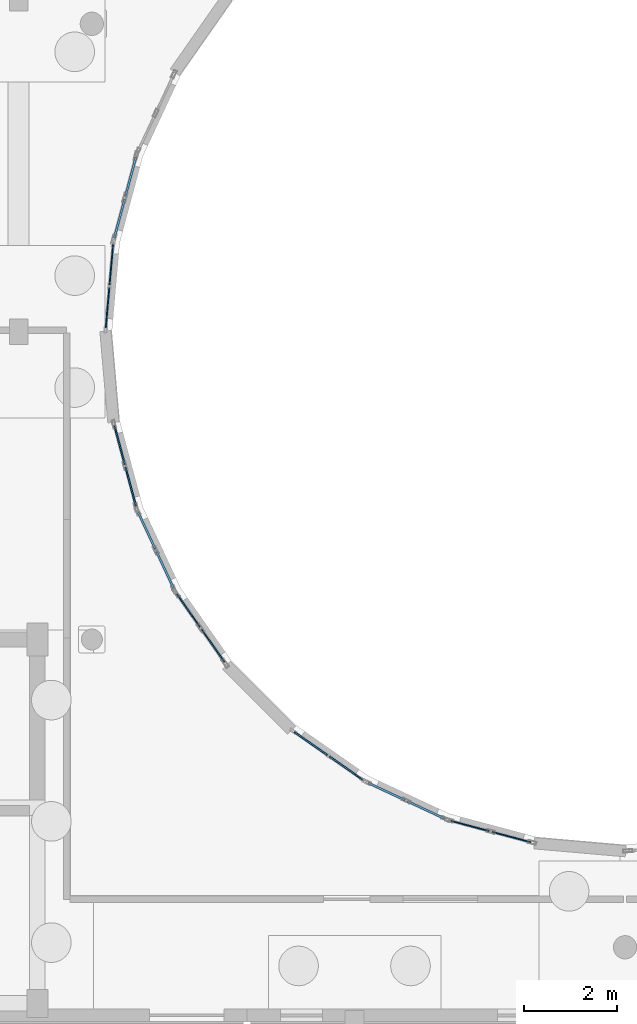
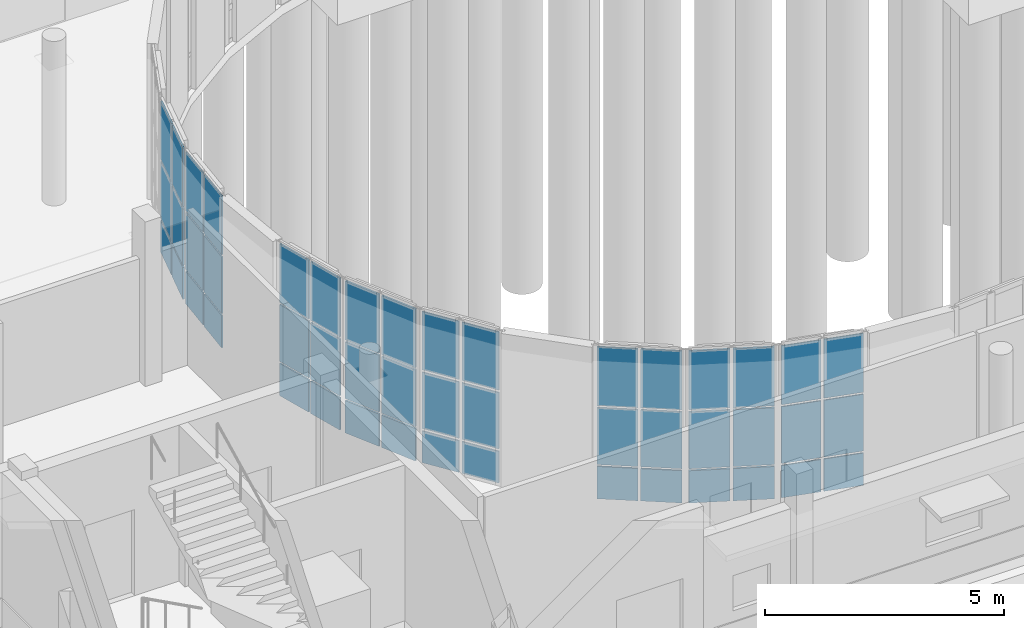
# One storey, part 49 of 93: 48 plates, 8 elements without a shape of their own.
"""IFC4 building model written with IfcOpenShell, lengths in metres."""

from ifc_helpers import new_model, si_unit, direction, frame, origin, origin_2d, place, context, subcontext, project, spatial, rectangle, extrude, material, layer, layer_set, type_object, element, aggregate, save


model = new_model("IFC4")

# Units and contexts
model_context = context("Model", 3, precision=1e-05, world=origin(), true_north=direction((0.0, 1.0)))
body_context = subcontext(model_context, "Body", "Model", "MODEL_VIEW")
ifc_project = project(units=[si_unit("LENGTHUNIT", "METRE"), si_unit("AREAUNIT", "SQUARE_METRE"), si_unit("VOLUMEUNIT", "CUBIC_METRE"), si_unit("PLANEANGLEUNIT", "RADIAN"), si_unit("MASSUNIT", "GRAM", prefix="KILO")], contexts=[model_context])

# Site, building, storey
site_placement = place(None, origin())
site = spatial("IfcSite", under=ifc_project, at=site_placement, CompositionType="ELEMENT")
building_placement = place(site_placement, origin())
building = spatial("IfcBuilding", under=site, at=building_placement, Name="Kelanivale Promenade Academy", CompositionType="ELEMENT")
storey_placement = place(building_placement, origin())
storey = spatial("IfcBuildingStorey", under=building, at=storey_placement, Name="L00", CompositionType="ELEMENT", Elevation=0.0)

# Curtain wall, plates
ifc_material_1 = material(Name="Bronze anodised aluminium and solar-control low-E glass", Category="aluminium")
ifc_layer_1 = layer(ifc_material_1, 0.169921875)
ifc_layer_set_1 = layer_set([ifc_layer_1], Name="Bronze anodised aluminium and solar-control low-E glass")
curtain_wall_type_1 = type_object("IfcCurtainWallType", Name="CW-13 Curtain Wall 1350mm Module", PredefinedType="USERDEFINED", material=ifc_layer_set_1)
curtain_wall_1_placement = place(storey_placement, origin())
curtain_wall_1 = element("IfcCurtainWall", 1, at=curtain_wall_1_placement, inside=storey, type_object=curtain_wall_type_1, Name="L00 courtyard curtain wall CW-13", ObjectType="COURTYARD SCREEN GLAZING", PredefinedType="USERDEFINED")
ifc_material_2 = material(Name="Solar-control double glazing 28 mm", Category="glass")
ifc_layer_2 = layer(ifc_material_2, 0.028076171875)
ifc_layer_set_2 = layer_set([ifc_layer_2], Name="Solar-control double glazing 28 mm")
plate_type_1 = type_object("IfcPlateType", Name="CWP-01 Plate 28mm", PredefinedType="CURTAIN_PANEL", material=ifc_layer_set_2)
plate_1_placement = place(storey_placement, frame((52.38525390625, 58.2333984375, 0.0498046875), z_axis=(0.0, 0.0, 1.0), x_axis=(-0.087264768066, -0.996185153601, 0.0)))
plate_1 = element("IfcPlate", 2, at=plate_1_placement, type_object=plate_type_1, Name="CW-13 panel 1.1", PredefinedType="CURTAIN_PANEL", context=body_context, shape_type="SweptSolid", body=[
    extrude(rectangle(XDim=0.861083984375, YDim=0.028076171875, at=origin_2d()), origin(), (0.0, 0.0, 1.0), 0.824951171875),
])
plate_2_placement = place(storey_placement, frame((52.38525390625, 58.2333984375, 0.9248046875), z_axis=(0.0, 0.0, 1.0), x_axis=(-0.087264768066, -0.996185153601, 0.0)))
plate_2 = element("IfcPlate", 3, at=plate_2_placement, type_object=plate_type_1, Name="CW-13 panel 1.2", PredefinedType="CURTAIN_PANEL", context=body_context, shape_type="SweptSolid", body=[
    extrude(rectangle(XDim=0.861083984375, YDim=0.028076171875, at=origin_2d()), origin(), (0.0, 0.0, 1.0), 1.449951171875),
])
plate_3_placement = place(storey_placement, frame((52.38525390625, 58.2333984375, 2.425048828125), z_axis=(0.0, 0.0, 1.0), x_axis=(-0.087264768066, -0.996185153601, 0.0)))
plate_3 = element("IfcPlate", 4, at=plate_3_placement, type_object=plate_type_1, Name="CW-13 panel 1.3", PredefinedType="CURTAIN_PANEL", context=body_context, shape_type="SweptSolid", body=[
    extrude(rectangle(XDim=0.861083984375, YDim=0.028076171875, at=origin_2d()), origin(), (0.0, 0.0, 1.0), 1.5048828125),
])
plate_4_placement = place(storey_placement, frame((52.3046875, 57.315673828125, 0.0498046875), z_axis=(0.0, 0.0, 1.0), x_axis=(-0.087264768066, -0.996185153601, 0.0)))
plate_4 = element("IfcPlate", 5, at=plate_4_placement, type_object=plate_type_1, Name="CW-13 panel 2.1", PredefinedType="CURTAIN_PANEL", context=body_context, shape_type="SweptSolid", body=[
    extrude(rectangle(XDim=0.861083984375, YDim=0.028076171875, at=origin_2d()), origin(), (0.0, 0.0, 1.0), 0.824951171875),
])
plate_5_placement = place(storey_placement, frame((52.3046875, 57.315673828125, 0.9248046875), z_axis=(0.0, 0.0, 1.0), x_axis=(-0.087264768066, -0.996185153601, 0.0)))
plate_5 = element("IfcPlate", 6, at=plate_5_placement, type_object=plate_type_1, Name="CW-13 panel 2.2", PredefinedType="CURTAIN_PANEL", context=body_context, shape_type="SweptSolid", body=[
    extrude(rectangle(XDim=0.861083984375, YDim=0.028076171875, at=origin_2d()), origin(), (0.0, 0.0, 1.0), 1.449951171875),
])
plate_6_placement = place(storey_placement, frame((52.3046875, 57.315673828125, 2.425048828125), z_axis=(0.0, 0.0, 1.0), x_axis=(-0.087264768066, -0.996185153601, 0.0)))
plate_6 = element("IfcPlate", 7, at=plate_6_placement, type_object=plate_type_1, Name="CW-13 panel 2.3", PredefinedType="CURTAIN_PANEL", context=body_context, shape_type="SweptSolid", body=[
    extrude(rectangle(XDim=0.861083984375, YDim=0.028076171875, at=origin_2d()), origin(), (0.0, 0.0, 1.0), 1.5048828125),
])
aggregate(curtain_wall_1, [plate_1, plate_2, plate_3, plate_4, plate_5, plate_6])

ifc_layer_3 = layer(ifc_material_1, 0.169921875)
ifc_layer_set_3 = layer_set([ifc_layer_3], Name="Bronze anodised aluminium and solar-control low-E glass")
curtain_wall_type_2 = type_object("IfcCurtainWallType", Name="CW-16 Curtain Wall 1800mm Module", PredefinedType="USERDEFINED", material=ifc_layer_set_3)
curtain_wall_2_placement = place(storey_placement, origin())
curtain_wall_2 = element("IfcCurtainWall", 8, at=curtain_wall_2_placement, inside=storey, type_object=curtain_wall_type_2, Name="L00 courtyard curtain wall CW-16", ObjectType="COURTYARD SCREEN GLAZING", PredefinedType="USERDEFINED")
plate_7_placement = place(storey_placement, frame((54.041015625, 50.81689453125, 0.06005859375), z_axis=(0.0, 0.0, 1.0), x_axis=(0.573356527561, -0.819305982099, 0.0)))
plate_7 = element("IfcPlate", 9, at=plate_7_placement, type_object=plate_type_1, Name="CW-16 panel 1.1", PredefinedType="CURTAIN_PANEL", context=body_context, shape_type="SweptSolid", body=[
    extrude(rectangle(XDim=0.85400390625, YDim=0.028076171875, at=origin_2d()), origin(), (0.0, 0.0, 1.0), 0.81005859375),
])
plate_8_placement = place(storey_placement, frame((54.041015625, 50.81689453125, 0.929931640625), z_axis=(0.0, 0.0, 1.0), x_axis=(0.573356527561, -0.819305982099, 0.0)))
plate_8 = element("IfcPlate", 10, at=plate_8_placement, type_object=plate_type_1, Name="CW-16 panel 1.2", PredefinedType="CURTAIN_PANEL", context=body_context, shape_type="SweptSolid", body=[
    extrude(rectangle(XDim=0.85400390625, YDim=0.028076171875, at=origin_2d()), origin(), (0.0, 0.0, 1.0), 1.43994140625),
])
plate_9_placement = place(storey_placement, frame((54.041015625, 50.81689453125, 2.43017578125), z_axis=(0.0, 0.0, 1.0), x_axis=(0.573356527561, -0.819305982099, 0.0)))
plate_9 = element("IfcPlate", 11, at=plate_9_placement, type_object=plate_type_1, Name="CW-16 panel 1.3", PredefinedType="CURTAIN_PANEL", context=body_context, shape_type="SweptSolid", body=[
    extrude(rectangle(XDim=0.85400390625, YDim=0.028076171875, at=origin_2d()), origin(), (0.0, 0.0, 1.0), 1.489990234375),
])
plate_10_placement = place(storey_placement, frame((54.56787109375, 50.06396484375, 0.06005859375), z_axis=(0.0, 0.0, 1.0), x_axis=(0.573356527561, -0.819305982099, 0.0)))
plate_10 = element("IfcPlate", 12, at=plate_10_placement, type_object=plate_type_1, Name="CW-16 panel 2.1", PredefinedType="CURTAIN_PANEL", context=body_context, shape_type="SweptSolid", body=[
    extrude(rectangle(XDim=0.85400390625, YDim=0.028076171875, at=origin_2d()), origin(), (0.0, 0.0, 1.0), 0.81005859375),
])
plate_11_placement = place(storey_placement, frame((54.56787109375, 50.06396484375, 0.929931640625), z_axis=(0.0, 0.0, 1.0), x_axis=(0.573356527561, -0.819305982099, 0.0)))
plate_11 = element("IfcPlate", 13, at=plate_11_placement, type_object=plate_type_1, Name="CW-16 panel 2.2", PredefinedType="CURTAIN_PANEL", context=body_context, shape_type="SweptSolid", body=[
    extrude(rectangle(XDim=0.85400390625, YDim=0.028076171875, at=origin_2d()), origin(), (0.0, 0.0, 1.0), 1.43994140625),
])
plate_12_placement = place(storey_placement, frame((54.56787109375, 50.06396484375, 2.43017578125), z_axis=(0.0, 0.0, 1.0), x_axis=(0.573356527561, -0.819305982099, 0.0)))
plate_12 = element("IfcPlate", 14, at=plate_12_placement, type_object=plate_type_1, Name="CW-16 panel 2.3", PredefinedType="CURTAIN_PANEL", context=body_context, shape_type="SweptSolid", body=[
    extrude(rectangle(XDim=0.85400390625, YDim=0.028076171875, at=origin_2d()), origin(), (0.0, 0.0, 1.0), 1.489990234375),
])
aggregate(curtain_wall_2, [plate_7, plate_8, plate_9, plate_10, plate_11, plate_12])

ifc_layer_4 = layer(ifc_material_1, 0.169921875)
ifc_layer_set_4 = layer_set([ifc_layer_4], Name="Bronze anodised aluminium and solar-control low-E glass")
curtain_wall_type_3 = type_object("IfcCurtainWallType", Name="CW-19 Curtain Wall 1350mm Module", PredefinedType="USERDEFINED", material=ifc_layer_set_4)
curtain_wall_3_placement = place(storey_placement, origin())
curtain_wall_3 = element("IfcCurtainWall", 15, at=curtain_wall_3_placement, inside=storey, type_object=curtain_wall_type_3, Name="L00 courtyard curtain wall CW-19", ObjectType="COURTYARD SCREEN GLAZING", PredefinedType="USERDEFINED")
plate_13_placement = place(storey_placement, frame((60.0771484375, 46.20068359375, 0.0498046875), z_axis=(0.0, 0.0, 1.0), x_axis=(0.965990259056, -0.258578458902, 0.0)))
plate_13 = element("IfcPlate", 16, at=plate_13_placement, type_object=plate_type_1, Name="CW-19 panel 1.1", PredefinedType="CURTAIN_PANEL", context=body_context, shape_type="SweptSolid", body=[
    extrude(rectangle(XDim=0.853759765625, YDim=0.028076171875, at=origin_2d()), origin(), (0.0, 0.0, 1.0), 0.824951171875),
])
plate_14_placement = place(storey_placement, frame((60.0771484375, 46.20068359375, 0.9248046875), z_axis=(0.0, 0.0, 1.0), x_axis=(0.965990259056, -0.258578458902, 0.0)))
plate_14 = element("IfcPlate", 17, at=plate_14_placement, type_object=plate_type_1, Name="CW-19 panel 1.2", PredefinedType="CURTAIN_PANEL", context=body_context, shape_type="SweptSolid", body=[
    extrude(rectangle(XDim=0.853759765625, YDim=0.028076171875, at=origin_2d()), origin(), (0.0, 0.0, 1.0), 1.449951171875),
])
plate_15_placement = place(storey_placement, frame((60.0771484375, 46.20068359375, 2.425048828125), z_axis=(0.0, 0.0, 1.0), x_axis=(0.965990259056, -0.258578458902, 0.0)))
plate_15 = element("IfcPlate", 18, at=plate_15_placement, type_object=plate_type_1, Name="CW-19 panel 1.3", PredefinedType="CURTAIN_PANEL", context=body_context, shape_type="SweptSolid", body=[
    extrude(rectangle(XDim=0.853759765625, YDim=0.028076171875, at=origin_2d()), origin(), (0.0, 0.0, 1.0), 1.5048828125),
])
plate_16_placement = place(storey_placement, frame((60.96484375, 45.963134765625, 0.0498046875), z_axis=(0.0, 0.0, 1.0), x_axis=(0.965990259056, -0.258578458902, 0.0)))
plate_16 = element("IfcPlate", 19, at=plate_16_placement, type_object=plate_type_1, Name="CW-19 panel 2.1", PredefinedType="CURTAIN_PANEL", context=body_context, shape_type="SweptSolid", body=[
    extrude(rectangle(XDim=0.853759765625, YDim=0.028076171875, at=origin_2d()), origin(), (0.0, 0.0, 1.0), 0.824951171875),
])
plate_17_placement = place(storey_placement, frame((60.96484375, 45.963134765625, 0.9248046875), z_axis=(0.0, 0.0, 1.0), x_axis=(0.965990259056, -0.258578458902, 0.0)))
plate_17 = element("IfcPlate", 20, at=plate_17_placement, type_object=plate_type_1, Name="CW-19 panel 2.2", PredefinedType="CURTAIN_PANEL", context=body_context, shape_type="SweptSolid", body=[
    extrude(rectangle(XDim=0.853759765625, YDim=0.028076171875, at=origin_2d()), origin(), (0.0, 0.0, 1.0), 1.449951171875),
])
plate_18_placement = place(storey_placement, frame((60.96484375, 45.963134765625, 2.425048828125), z_axis=(0.0, 0.0, 1.0), x_axis=(0.965990259056, -0.258578458902, 0.0)))
plate_18 = element("IfcPlate", 21, at=plate_18_placement, type_object=plate_type_1, Name="CW-19 panel 2.3", PredefinedType="CURTAIN_PANEL", context=body_context, shape_type="SweptSolid", body=[
    extrude(rectangle(XDim=0.853759765625, YDim=0.028076171875, at=origin_2d()), origin(), (0.0, 0.0, 1.0), 1.5048828125),
])
aggregate(curtain_wall_3, [plate_13, plate_14, plate_15, plate_16, plate_17, plate_18])

ifc_layer_5 = layer(ifc_material_1, 0.179931640625)
ifc_layer_set_5 = layer_set([ifc_layer_5], Name="Bronze anodised aluminium and solar-control low-E glass")
curtain_wall_type_4 = type_object("IfcCurtainWallType", Name="CW-14 Curtain Wall 1500mm Module", PredefinedType="USERDEFINED", material=ifc_layer_set_5)
curtain_wall_4_placement = place(storey_placement, origin())
curtain_wall_4 = element("IfcCurtainWall", 22, at=curtain_wall_4_placement, inside=storey, type_object=curtain_wall_type_4, Name="L00 courtyard curtain wall CW-14", ObjectType="COURTYARD SCREEN GLAZING", PredefinedType="USERDEFINED")
ifc_material_3 = material(Name="Acoustic laminated double glazing 36 mm", Category="glass")
ifc_layer_6 = layer(ifc_material_3, 0.035888671875)
ifc_layer_set_6 = layer_set([ifc_layer_6], Name="Acoustic laminated double glazing 36 mm")
plate_type_2 = type_object("IfcPlateType", Name="CWP-02 Plate 36mm", PredefinedType="CURTAIN_PANEL", material=ifc_layer_set_6)
plate_19_placement = place(storey_placement, frame((52.56298828125, 54.365966796875, 0.0498046875), z_axis=(0.0, 0.0, 1.0), x_axis=(0.258578458902, -0.965990259056, 0.0)))
plate_19 = element("IfcPlate", 23, at=plate_19_placement, type_object=plate_type_2, Name="CW-14 panel 1.1", PredefinedType="CURTAIN_PANEL", context=body_context, shape_type="SweptSolid", body=[
    extrude(rectangle(XDim=0.861328125, YDim=0.035888671875, at=origin_2d()), origin(), (0.0, 0.0, 1.0), 0.824951171875),
])
plate_20_placement = place(storey_placement, frame((52.56298828125, 54.365966796875, 0.9248046875), z_axis=(0.0, 0.0, 1.0), x_axis=(0.258578458902, -0.965990259056, 0.0)))
plate_20 = element("IfcPlate", 24, at=plate_20_placement, type_object=plate_type_2, Name="CW-14 panel 1.2", PredefinedType="CURTAIN_PANEL", context=body_context, shape_type="SweptSolid", body=[
    extrude(rectangle(XDim=0.861328125, YDim=0.035888671875, at=origin_2d()), origin(), (0.0, 0.0, 1.0), 1.449951171875),
])
plate_21_placement = place(storey_placement, frame((52.56298828125, 54.365966796875, 2.425048828125), z_axis=(0.0, 0.0, 1.0), x_axis=(0.258578458902, -0.965990259056, 0.0)))
plate_21 = element("IfcPlate", 25, at=plate_21_placement, type_object=plate_type_2, Name="CW-14 panel 1.3", PredefinedType="CURTAIN_PANEL", context=body_context, shape_type="SweptSolid", body=[
    extrude(rectangle(XDim=0.861328125, YDim=0.035888671875, at=origin_2d()), origin(), (0.0, 0.0, 1.0), 1.5048828125),
])
plate_22_placement = place(storey_placement, frame((52.801025390625, 53.47607421875, 0.0498046875), z_axis=(0.0, 0.0, 1.0), x_axis=(0.258578458902, -0.965990259056, 0.0)))
plate_22 = element("IfcPlate", 26, at=plate_22_placement, type_object=plate_type_2, Name="CW-14 panel 2.1", PredefinedType="CURTAIN_PANEL", context=body_context, shape_type="SweptSolid", body=[
    extrude(rectangle(XDim=0.861328125, YDim=0.035888671875, at=origin_2d()), origin(), (0.0, 0.0, 1.0), 0.824951171875),
])
plate_23_placement = place(storey_placement, frame((52.801025390625, 53.47607421875, 0.9248046875), z_axis=(0.0, 0.0, 1.0), x_axis=(0.258578458902, -0.965990259056, 0.0)))
plate_23 = element("IfcPlate", 27, at=plate_23_placement, type_object=plate_type_2, Name="CW-14 panel 2.2", PredefinedType="CURTAIN_PANEL", context=body_context, shape_type="SweptSolid", body=[
    extrude(rectangle(XDim=0.861328125, YDim=0.035888671875, at=origin_2d()), origin(), (0.0, 0.0, 1.0), 1.449951171875),
])
plate_24_placement = place(storey_placement, frame((52.801025390625, 53.47607421875, 2.425048828125), z_axis=(0.0, 0.0, 1.0), x_axis=(0.258578458902, -0.965990259056, 0.0)))
plate_24 = element("IfcPlate", 28, at=plate_24_placement, type_object=plate_type_2, Name="CW-14 panel 2.3", PredefinedType="CURTAIN_PANEL", context=body_context, shape_type="SweptSolid", body=[
    extrude(rectangle(XDim=0.861328125, YDim=0.035888671875, at=origin_2d()), origin(), (0.0, 0.0, 1.0), 1.5048828125),
])
aggregate(curtain_wall_4, [plate_19, plate_20, plate_21, plate_22, plate_23, plate_24])

ifc_layer_7 = layer(ifc_material_1, 0.179931640625)
ifc_layer_set_7 = layer_set([ifc_layer_7], Name="Bronze anodised aluminium and solar-control low-E glass")
curtain_wall_type_5 = type_object("IfcCurtainWallType", Name="CW-17 Curtain Wall 1950mm Module", PredefinedType="USERDEFINED", material=ifc_layer_set_7)
curtain_wall_5_placement = place(storey_placement, origin())
curtain_wall_5 = element("IfcCurtainWall", 29, at=curtain_wall_5_placement, inside=storey, type_object=curtain_wall_type_5, Name="L00 courtyard curtain wall CW-17", ObjectType="COURTYARD SCREEN GLAZING", PredefinedType="USERDEFINED")
plate_25_placement = place(storey_placement, frame((56.6630859375, 47.96875, 0.0498046875), z_axis=(0.0, 0.0, 1.0), x_axis=(0.819305982099, -0.573356527561, 0.0)))
plate_25 = element("IfcPlate", 30, at=plate_25_placement, type_object=plate_type_2, Name="CW-17 panel 1.1", PredefinedType="CURTAIN_PANEL", context=body_context, shape_type="SweptSolid", body=[
    extrude(rectangle(XDim=0.861328125, YDim=0.035888671875, at=origin_2d()), origin(), (0.0, 0.0, 1.0), 0.824951171875),
])
plate_26_placement = place(storey_placement, frame((56.6630859375, 47.96875, 0.9248046875), z_axis=(0.0, 0.0, 1.0), x_axis=(0.819305982099, -0.573356527561, 0.0)))
plate_26 = element("IfcPlate", 31, at=plate_26_placement, type_object=plate_type_2, Name="CW-17 panel 1.2", PredefinedType="CURTAIN_PANEL", context=body_context, shape_type="SweptSolid", body=[
    extrude(rectangle(XDim=0.861328125, YDim=0.035888671875, at=origin_2d()), origin(), (0.0, 0.0, 1.0), 1.449951171875),
])
plate_27_placement = place(storey_placement, frame((56.6630859375, 47.96875, 2.425048828125), z_axis=(0.0, 0.0, 1.0), x_axis=(0.819305982099, -0.573356527561, 0.0)))
plate_27 = element("IfcPlate", 32, at=plate_27_placement, type_object=plate_type_2, Name="CW-17 panel 1.3", PredefinedType="CURTAIN_PANEL", context=body_context, shape_type="SweptSolid", body=[
    extrude(rectangle(XDim=0.861328125, YDim=0.035888671875, at=origin_2d()), origin(), (0.0, 0.0, 1.0), 1.5048828125),
])
plate_28_placement = place(storey_placement, frame((57.41796875, 47.4404296875, 0.0498046875), z_axis=(0.0, 0.0, 1.0), x_axis=(0.819305982099, -0.573356527561, 0.0)))
plate_28 = element("IfcPlate", 33, at=plate_28_placement, type_object=plate_type_2, Name="CW-17 panel 2.1", PredefinedType="CURTAIN_PANEL", context=body_context, shape_type="SweptSolid", body=[
    extrude(rectangle(XDim=0.861328125, YDim=0.035888671875, at=origin_2d()), origin(), (0.0, 0.0, 1.0), 0.824951171875),
])
plate_29_placement = place(storey_placement, frame((57.41796875, 47.4404296875, 0.9248046875), z_axis=(0.0, 0.0, 1.0), x_axis=(0.819305982099, -0.573356527561, 0.0)))
plate_29 = element("IfcPlate", 34, at=plate_29_placement, type_object=plate_type_2, Name="CW-17 panel 2.2", PredefinedType="CURTAIN_PANEL", context=body_context, shape_type="SweptSolid", body=[
    extrude(rectangle(XDim=0.861328125, YDim=0.035888671875, at=origin_2d()), origin(), (0.0, 0.0, 1.0), 1.449951171875),
])
plate_30_placement = place(storey_placement, frame((57.41796875, 47.4404296875, 2.425048828125), z_axis=(0.0, 0.0, 1.0), x_axis=(0.819305982099, -0.573356527561, 0.0)))
plate_30 = element("IfcPlate", 35, at=plate_30_placement, type_object=plate_type_2, Name="CW-17 panel 2.3", PredefinedType="CURTAIN_PANEL", context=body_context, shape_type="SweptSolid", body=[
    extrude(rectangle(XDim=0.861328125, YDim=0.035888671875, at=origin_2d()), origin(), (0.0, 0.0, 1.0), 1.5048828125),
])
aggregate(curtain_wall_5, [plate_25, plate_26, plate_27, plate_28, plate_29, plate_30])

ifc_layer_8 = layer(ifc_material_1, 0.159912109375)
ifc_layer_set_8 = layer_set([ifc_layer_8], Name="Bronze anodised aluminium and solar-control low-E glass")
curtain_wall_type_6 = type_object("IfcCurtainWallType", Name="CW-12 Curtain Wall 1200mm Module", PredefinedType="USERDEFINED", material=ifc_layer_set_8)
curtain_wall_6_placement = place(storey_placement, origin())
curtain_wall_6 = element("IfcCurtainWall", 36, at=curtain_wall_6_placement, inside=storey, type_object=curtain_wall_type_6, Name="L00 courtyard curtain wall CW-12", ObjectType="UNITISED GLAZING", PredefinedType="USERDEFINED")
ifc_material_4 = material(Name="Insulated bronze aluminium spandrel panel 44 mm", Category="aluminium")
ifc_layer_9 = layer(ifc_material_4, 0.0439453125)
ifc_layer_set_9 = layer_set([ifc_layer_9], Name="Insulated bronze aluminium spandrel panel 44 mm")
plate_type_3 = type_object("IfcPlateType", Name="CWP-03 Plate 44mm", PredefinedType="CURTAIN_PANEL", material=ifc_layer_set_9)
plate_31_placement = place(storey_placement, frame((52.7998046875, 60.119384765625, 0.06005859375), z_axis=(0.0, 0.0, 1.0), x_axis=(-0.258701323721, -0.96595736195, 0.0)))
plate_31 = element("IfcPlate", 37, at=plate_31_placement, type_object=plate_type_3, Name="CW-12 panel 1.1", PredefinedType="CURTAIN_PANEL", context=body_context, shape_type="SweptSolid", body=[
    extrude(rectangle(XDim=0.861083984375, YDim=0.0439453125, at=origin_2d()), origin(), (0.0, 0.0, 1.0), 0.81005859375),
])
plate_32_placement = place(storey_placement, frame((52.7998046875, 60.119384765625, 0.929931640625), z_axis=(0.0, 0.0, 1.0), x_axis=(-0.258701323721, -0.96595736195, 0.0)))
plate_32 = element("IfcPlate", 38, at=plate_32_placement, type_object=plate_type_3, Name="CW-12 panel 1.2", PredefinedType="CURTAIN_PANEL", context=body_context, shape_type="SweptSolid", body=[
    extrude(rectangle(XDim=0.861083984375, YDim=0.0439453125, at=origin_2d()), origin(), (0.0, 0.0, 1.0), 1.43994140625),
])
plate_33_placement = place(storey_placement, frame((52.7998046875, 60.119384765625, 2.43017578125), z_axis=(0.0, 0.0, 1.0), x_axis=(-0.258701323721, -0.96595736195, 0.0)))
plate_33 = element("IfcPlate", 39, at=plate_33_placement, type_object=plate_type_3, Name="CW-12 panel 1.3", PredefinedType="CURTAIN_PANEL", context=body_context, shape_type="SweptSolid", body=[
    extrude(rectangle(XDim=0.861083984375, YDim=0.0439453125, at=origin_2d()), origin(), (0.0, 0.0, 1.0), 1.489990234375),
])
plate_34_placement = place(storey_placement, frame((52.560302734375, 59.224609375, 0.06005859375), z_axis=(0.0, 0.0, 1.0), x_axis=(-0.258701323721, -0.96595736195, 0.0)))
plate_34 = element("IfcPlate", 40, at=plate_34_placement, type_object=plate_type_3, Name="CW-12 panel 2.1", PredefinedType="CURTAIN_PANEL", context=body_context, shape_type="SweptSolid", body=[
    extrude(rectangle(XDim=0.861083984375, YDim=0.0439453125, at=origin_2d()), origin(), (0.0, 0.0, 1.0), 0.81005859375),
])
plate_35_placement = place(storey_placement, frame((52.560302734375, 59.224609375, 0.929931640625), z_axis=(0.0, 0.0, 1.0), x_axis=(-0.258701323721, -0.96595736195, 0.0)))
plate_35 = element("IfcPlate", 41, at=plate_35_placement, type_object=plate_type_3, Name="CW-12 panel 2.2", PredefinedType="CURTAIN_PANEL", context=body_context, shape_type="SweptSolid", body=[
    extrude(rectangle(XDim=0.861083984375, YDim=0.0439453125, at=origin_2d()), origin(), (0.0, 0.0, 1.0), 1.43994140625),
])
plate_36_placement = place(storey_placement, frame((52.560302734375, 59.224609375, 2.43017578125), z_axis=(0.0, 0.0, 1.0), x_axis=(-0.258701323721, -0.96595736195, 0.0)))
plate_36 = element("IfcPlate", 42, at=plate_36_placement, type_object=plate_type_3, Name="CW-12 panel 2.3", PredefinedType="CURTAIN_PANEL", context=body_context, shape_type="SweptSolid", body=[
    extrude(rectangle(XDim=0.861083984375, YDim=0.0439453125, at=origin_2d()), origin(), (0.0, 0.0, 1.0), 1.489990234375),
])
aggregate(curtain_wall_6, [plate_31, plate_32, plate_33, plate_34, plate_35, plate_36])

ifc_layer_10 = layer(ifc_material_1, 0.159912109375)
ifc_layer_set_10 = layer_set([ifc_layer_10], Name="Bronze anodised aluminium and solar-control low-E glass")
curtain_wall_type_7 = type_object("IfcCurtainWallType", Name="CW-15 Curtain Wall 1650mm Module", PredefinedType="USERDEFINED", material=ifc_layer_set_10)
curtain_wall_7_placement = place(storey_placement, origin())
curtain_wall_7 = element("IfcCurtainWall", 43, at=curtain_wall_7_placement, inside=storey, type_object=curtain_wall_type_7, Name="L00 courtyard curtain wall CW-15", ObjectType="COURTYARD SCREEN GLAZING", PredefinedType="USERDEFINED")
plate_37_placement = place(storey_placement, frame((53.1455078125, 52.52978515625, 0.0498046875), z_axis=(0.0, 0.0, 1.0), x_axis=(0.422856921222, -0.906196460032, 0.0)))
plate_37 = element("IfcPlate", 44, at=plate_37_placement, type_object=plate_type_3, Name="CW-15 panel 1.1", PredefinedType="CURTAIN_PANEL", context=body_context, shape_type="SweptSolid", body=[
    extrude(rectangle(XDim=0.861572265625, YDim=0.0439453125, at=origin_2d()), origin(), (0.0, 0.0, 1.0), 0.824951171875),
])
plate_38_placement = place(storey_placement, frame((53.1455078125, 52.52978515625, 0.9248046875), z_axis=(0.0, 0.0, 1.0), x_axis=(0.422856921222, -0.906196460032, 0.0)))
plate_38 = element("IfcPlate", 45, at=plate_38_placement, type_object=plate_type_3, Name="CW-15 panel 1.2", PredefinedType="CURTAIN_PANEL", context=body_context, shape_type="SweptSolid", body=[
    extrude(rectangle(XDim=0.861572265625, YDim=0.0439453125, at=origin_2d()), origin(), (0.0, 0.0, 1.0), 1.449951171875),
])
plate_39_placement = place(storey_placement, frame((53.1455078125, 52.52978515625, 2.425048828125), z_axis=(0.0, 0.0, 1.0), x_axis=(0.422856921222, -0.906196460032, 0.0)))
plate_39 = element("IfcPlate", 46, at=plate_39_placement, type_object=plate_type_3, Name="CW-15 panel 1.3", PredefinedType="CURTAIN_PANEL", context=body_context, shape_type="SweptSolid", body=[
    extrude(rectangle(XDim=0.861572265625, YDim=0.0439453125, at=origin_2d()), origin(), (0.0, 0.0, 1.0), 1.5048828125),
])
plate_40_placement = place(storey_placement, frame((53.537353515625, 51.690185546875, 0.0498046875), z_axis=(0.0, 0.0, 1.0), x_axis=(0.422856921222, -0.906196460032, 0.0)))
plate_40 = element("IfcPlate", 47, at=plate_40_placement, type_object=plate_type_3, Name="CW-15 panel 2.1", PredefinedType="CURTAIN_PANEL", context=body_context, shape_type="SweptSolid", body=[
    extrude(rectangle(XDim=0.861572265625, YDim=0.0439453125, at=origin_2d()), origin(), (0.0, 0.0, 1.0), 0.824951171875),
])
plate_41_placement = place(storey_placement, frame((53.537353515625, 51.690185546875, 0.9248046875), z_axis=(0.0, 0.0, 1.0), x_axis=(0.422856921222, -0.906196460032, 0.0)))
plate_41 = element("IfcPlate", 48, at=plate_41_placement, type_object=plate_type_3, Name="CW-15 panel 2.2", PredefinedType="CURTAIN_PANEL", context=body_context, shape_type="SweptSolid", body=[
    extrude(rectangle(XDim=0.861572265625, YDim=0.0439453125, at=origin_2d()), origin(), (0.0, 0.0, 1.0), 1.449951171875),
])
plate_42_placement = place(storey_placement, frame((53.537353515625, 51.690185546875, 2.425048828125), z_axis=(0.0, 0.0, 1.0), x_axis=(0.422856921222, -0.906196460032, 0.0)))
plate_42 = element("IfcPlate", 49, at=plate_42_placement, type_object=plate_type_3, Name="CW-15 panel 2.3", PredefinedType="CURTAIN_PANEL", context=body_context, shape_type="SweptSolid", body=[
    extrude(rectangle(XDim=0.861572265625, YDim=0.0439453125, at=origin_2d()), origin(), (0.0, 0.0, 1.0), 1.5048828125),
])
aggregate(curtain_wall_7, [plate_37, plate_38, plate_39, plate_40, plate_41, plate_42])

ifc_layer_11 = layer(ifc_material_1, 0.159912109375)
ifc_layer_set_11 = layer_set([ifc_layer_11], Name="Bronze anodised aluminium and solar-control low-E glass")
curtain_wall_type_8 = type_object("IfcCurtainWallType", Name="CW-18 Curtain Wall 1200mm Module", PredefinedType="USERDEFINED", material=ifc_layer_set_11)
curtain_wall_8_placement = place(storey_placement, origin())
curtain_wall_8 = element("IfcCurtainWall", 50, at=curtain_wall_8_placement, inside=storey, type_object=curtain_wall_type_8, Name="L00 courtyard curtain wall CW-18", ObjectType="COURTYARD SCREEN GLAZING", PredefinedType="USERDEFINED")
plate_43_placement = place(storey_placement, frame((58.2890625, 46.93798828125, 0.0498046875), z_axis=(0.0, 0.0, 1.0), x_axis=(0.906196460032, -0.422856921222, 0.0)))
plate_43 = element("IfcPlate", 51, at=plate_43_placement, type_object=plate_type_3, Name="CW-18 panel 1.1", PredefinedType="CURTAIN_PANEL", context=body_context, shape_type="SweptSolid", body=[
    extrude(rectangle(XDim=0.868896484375, YDim=0.0439453125, at=origin_2d()), origin(), (0.0, 0.0, 1.0), 0.824951171875),
])
plate_44_placement = place(storey_placement, frame((58.2890625, 46.93798828125, 0.9248046875), z_axis=(0.0, 0.0, 1.0), x_axis=(0.906196460032, -0.422856921222, 0.0)))
plate_44 = element("IfcPlate", 52, at=plate_44_placement, type_object=plate_type_3, Name="CW-18 panel 1.2", PredefinedType="CURTAIN_PANEL", context=body_context, shape_type="SweptSolid", body=[
    extrude(rectangle(XDim=0.868896484375, YDim=0.0439453125, at=origin_2d()), origin(), (0.0, 0.0, 1.0), 1.449951171875),
])
plate_45_placement = place(storey_placement, frame((58.2890625, 46.93798828125, 2.425048828125), z_axis=(0.0, 0.0, 1.0), x_axis=(0.906196460032, -0.422856921222, 0.0)))
plate_45 = element("IfcPlate", 53, at=plate_45_placement, type_object=plate_type_3, Name="CW-18 panel 1.3", PredefinedType="CURTAIN_PANEL", context=body_context, shape_type="SweptSolid", body=[
    extrude(rectangle(XDim=0.868896484375, YDim=0.0439453125, at=origin_2d()), origin(), (0.0, 0.0, 1.0), 1.5048828125),
])
plate_46_placement = place(storey_placement, frame((59.130859375, 46.545166015625, 0.0498046875), z_axis=(0.0, 0.0, 1.0), x_axis=(0.906196460032, -0.422856921222, 0.0)))
plate_46 = element("IfcPlate", 54, at=plate_46_placement, type_object=plate_type_3, Name="CW-18 panel 2.1", PredefinedType="CURTAIN_PANEL", context=body_context, shape_type="SweptSolid", body=[
    extrude(rectangle(XDim=0.868896484375, YDim=0.0439453125, at=origin_2d()), origin(), (0.0, 0.0, 1.0), 0.824951171875),
])
plate_47_placement = place(storey_placement, frame((59.130859375, 46.545166015625, 0.9248046875), z_axis=(0.0, 0.0, 1.0), x_axis=(0.906196460032, -0.422856921222, 0.0)))
plate_47 = element("IfcPlate", 55, at=plate_47_placement, type_object=plate_type_3, Name="CW-18 panel 2.2", PredefinedType="CURTAIN_PANEL", context=body_context, shape_type="SweptSolid", body=[
    extrude(rectangle(XDim=0.868896484375, YDim=0.0439453125, at=origin_2d()), origin(), (0.0, 0.0, 1.0), 1.449951171875),
])
plate_48_placement = place(storey_placement, frame((59.130859375, 46.545166015625, 2.425048828125), z_axis=(0.0, 0.0, 1.0), x_axis=(0.906196460032, -0.422856921222, 0.0)))
plate_48 = element("IfcPlate", 56, at=plate_48_placement, type_object=plate_type_3, Name="CW-18 panel 2.3", PredefinedType="CURTAIN_PANEL", context=body_context, shape_type="SweptSolid", body=[
    extrude(rectangle(XDim=0.868896484375, YDim=0.0439453125, at=origin_2d()), origin(), (0.0, 0.0, 1.0), 1.5048828125),
])
aggregate(curtain_wall_8, [plate_43, plate_44, plate_45, plate_46, plate_47, plate_48])

save(model, "model.ifc")
